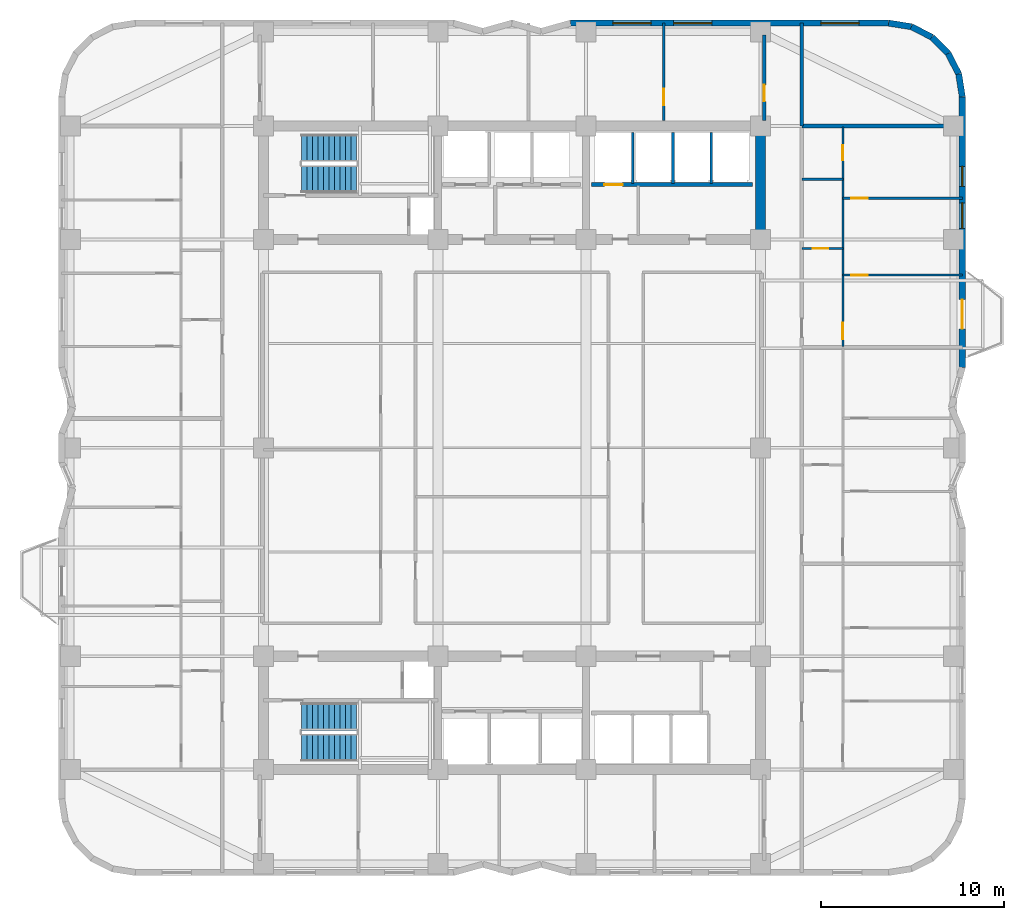
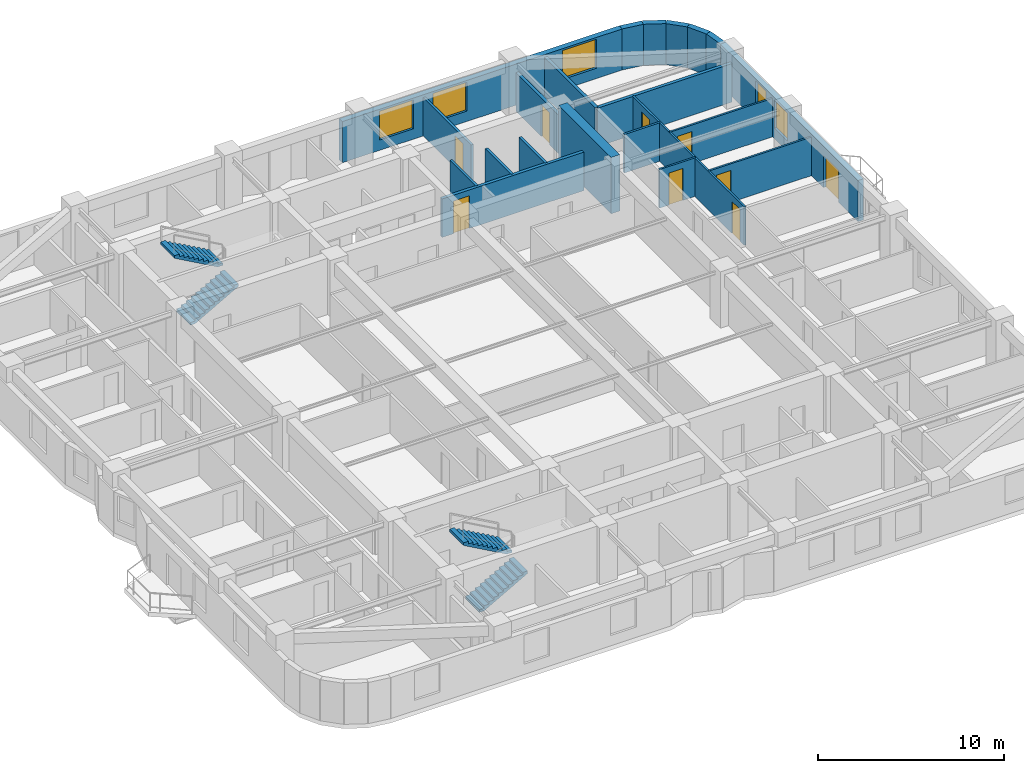
# One storey, part 7 of 9: 21 walls, 9 doors, 5 windows, 4 stair flights, 14 openings, 2 elements without a shape of their own.
"""IFC4 building model written with IfcOpenShell, lengths in metres."""

from ifc_helpers import new_model, si_unit, direction, frame, frame_2d, origin, place, context, subcontext, project, spatial, polyline, rectangle, outline, extrude, material, layer, layer_set, type_object, element, fill, aggregate, save


model = new_model("IFC4")

# Units and contexts
model_context = context("Model", 3, precision=1e-05, world=origin(), true_north=direction((0.0, 1.0)))
body_context = subcontext(model_context, "Body", "Model", "MODEL_VIEW")
ifc_project = project(units=[si_unit("LENGTHUNIT", "METRE"), si_unit("AREAUNIT", "SQUARE_METRE"), si_unit("VOLUMEUNIT", "CUBIC_METRE"), si_unit("PLANEANGLEUNIT", "RADIAN"), si_unit("MASSUNIT", "GRAM", prefix="KILO")], contexts=[model_context])

# Site, building, storey
site_placement = place(None, origin())
site = spatial("IfcSite", under=ifc_project, at=site_placement, CompositionType="ELEMENT")
building_placement = place(site_placement, origin())
building = spatial("IfcBuilding", under=site, at=building_placement, Name="Svetorya Sky Lyceum", CompositionType="ELEMENT")
storey_placement = place(building_placement, frame((0.0, 0.0, 88.300048828125)))
storey = spatial("IfcBuildingStorey", under=building, at=storey_placement, Name="L21", CompositionType="ELEMENT", Elevation=88.300048828125)

# Wall
ifc_material_1 = material(Name="Concrete C60/75", Category="concrete")
ifc_layer_1 = layer(ifc_material_1, 0.550048828125)
ifc_layer_set_1 = layer_set([ifc_layer_1], Name="Concrete C60/75")
wall_type_1 = type_object("IfcWallType", Name="WL-CORE-550", PredefinedType="SHEAR", material=ifc_layer_set_1)
wall_1_placement = place(storey_placement, frame((52.800048828125, 39.875, 0.0), z_axis=(0.0, 0.0, 1.0), x_axis=(0.0, 1.0, 0.0)))
element("IfcWall", 1, at=wall_1_placement, inside=storey, type_object=wall_type_1, Name="L21 NC East Core Shear Wall", PredefinedType="SHEAR", context=body_context, shape_type="SweptSolid", body=[
    extrude(rectangle(XDim=5.64990234375, YDim=0.550048828125, at=frame_2d((2.824951171875, 0.0))), origin(), (0.0, 0.0, 1.0), 3.699951171875),
])

# Wall, openings, door, windows
ifc_material_2 = material(Name="Putilovo limestone rainscreen on autoclaved cellular masonry", Category="masonry")
ifc_layer_2 = layer(ifc_material_2, 0.340087890625)
ifc_layer_set_2 = layer_set([ifc_layer_2], Name="Putilovo limestone rainscreen on autoclaved cellular masonry")
wall_type_2 = type_object("IfcWallType", Name="WL-EXT-340", PredefinedType="SOLIDWALL", material=ifc_layer_set_2)
wall_2_placement = place(storey_placement, frame((63.830078125, 32.60009765625, 0.0), z_axis=(0.0, 0.0, 1.0), x_axis=(0.0, 1.0, 0.0)))
wall_2 = element("IfcWall", 2, at=wall_2_placement, inside=storey, type_object=wall_type_2, Name="L21 Limestone Exterior Wall 23M", PredefinedType="SOLIDWALL", context=body_context, shape_type="SweptSolid", body=[
    extrude(rectangle(XDim=14.7998046875, YDim=0.340087890625, at=frame_2d((7.39990234375, 0.0))), origin(), (0.0, 0.0, 1.0), 2.699951171875),
])
opening_1_placement = place(wall_2_placement, frame((2.10009765625, 0.0, 0.0)))
opening_1 = element("IfcOpeningElement", 3, at=opening_1_placement, cuts=wall_2, Name="Opening D-BL1", PredefinedType="OPENING", context=body_context, shape_type="SweptSolid", body=[
    extrude(rectangle(XDim=1.60009765625, YDim=2.10009765625, at=frame_2d((0.800048828125, 1.050048828125))), frame((0.0, 0.179931640625, 0.0), z_axis=(0.0, -1.0, 0.0), x_axis=(1.0, 0.0, 0.0)), (0.0, 0.0, 1.0), 0.360107421875),
])
opening_2_placement = place(wall_2_placement, frame((7.60009765625, 0.0, 0.68994140625)))
opening_2 = element("IfcOpeningElement", 4, at=opening_2_placement, cuts=wall_2, Name="Opening W-R2", PredefinedType="OPENING", context=body_context, shape_type="SweptSolid", body=[
    extrude(rectangle(XDim=1.39990234375, YDim=1.85009765625, at=frame_2d((0.699951171875, 0.925048828125))), frame((0.0, 0.179931640625, 0.0), z_axis=(0.0, -1.0, 0.0), x_axis=(1.0, 0.0, 0.0)), (0.0, 0.0, 1.0), 0.360107421875),
])
opening_3_placement = place(wall_2_placement, frame((9.89990234375, 0.0, 0.929931640625)))
opening_3 = element("IfcOpeningElement", 5, at=opening_3_placement, cuts=wall_2, Name="Opening W-R3", PredefinedType="OPENING", context=body_context, shape_type="SweptSolid", body=[
    extrude(rectangle(XDim=1.10009765625, YDim=1.64990234375, at=frame_2d((0.550048828125, 0.824951171875))), frame((0.0, 0.179931640625, 0.0), z_axis=(0.0, -1.0, 0.0), x_axis=(1.0, 0.0, 0.0)), (0.0, 0.0, 1.0), 0.360107421875),
])
ifc_material_3 = material(Name="Insulated glazed aluminium balcony door", Category="aluminium")
door_type_1 = type_object("IfcDoorType", Name="DR-BAL-1600", OperationType="DOUBLE_DOOR_SINGLE_SWING", PredefinedType="DOOR", material=ifc_material_3)
door_1_placement = place(opening_1_placement, origin())
door_1 = element("IfcDoor", 6, at=door_1_placement, inside=storey, type_object=door_type_1, Name="L21 Balcony BAL-E1 Door", OperationType="DOUBLE_DOOR_SINGLE_SWING", OverallHeight=2.10009765625, OverallWidth=1.60009765625, PredefinedType="DOOR", context=body_context, shape_type="SweptSolid", body=[
    extrude(rectangle(XDim=1.60009765625, YDim=2.10009765625, at=frame_2d((0.800048828125, 1.050048828125))), frame((0.0, 0.02490234375, 0.0), z_axis=(0.0, -1.0, 0.0), x_axis=(1.0, 0.0, 0.0)), (0.0, 0.0, 1.0), 0.050048828125),
])
fill(opening_1, door_1)
ifc_material_4 = material(Name="Thermally broken aluminium frame with triple low-E glazing", Category="aluminium")
window_type_1 = type_object("IfcWindowType", Name="WN-RES-110", PartitioningType="SINGLE_PANEL", PredefinedType="WINDOW", material=ifc_material_4)
window_1_placement = place(opening_3_placement, origin())
window_1 = element("IfcWindow", 7, at=window_1_placement, inside=storey, type_object=window_type_1, Name="L21 Facade Window W-R3.23M.1", OverallHeight=1.64990234375, OverallWidth=1.10009765625, PartitioningType="SINGLE_PANEL", PredefinedType="WINDOW", context=body_context, shape_type="SweptSolid", body=[
    extrude(rectangle(XDim=1.10009765625, YDim=1.64990234375, at=frame_2d((0.550048828125, 0.824951171875))), frame((0.0, 0.030029296875, 0.0), z_axis=(0.0, -1.0, 0.0), x_axis=(1.0, 0.0, 0.0)), (0.0, 0.0, 1.0), 0.06005859375),
])
fill(opening_3, window_1)
window_type_2 = type_object("IfcWindowType", Name="WN-RES-140", PartitioningType="SINGLE_PANEL", PredefinedType="WINDOW", material=ifc_material_4)
window_2_placement = place(opening_2_placement, origin())
window_2 = element("IfcWindow", 8, at=window_2_placement, inside=storey, type_object=window_type_2, Name="L21 Facade Window W-R2.23M.2", OverallHeight=1.85009765625, OverallWidth=1.39990234375, PartitioningType="SINGLE_PANEL", PredefinedType="WINDOW", context=body_context, shape_type="SweptSolid", body=[
    extrude(rectangle(XDim=1.39990234375, YDim=1.85009765625, at=frame_2d((0.699951171875, 0.925048828125))), frame((0.0, 0.030029296875, 0.0), z_axis=(0.0, -1.0, 0.0), x_axis=(1.0, 0.0, 0.0)), (0.0, 0.0, 1.0), 0.06005859375),
])
fill(opening_2, window_2)

# Walls
for number, where, z_axis, x_axis, name in (
    (9, (63.830078125, 47.39990234375, 0.0), (0.0, 0.0, 1.0), (-0.15644975923, 0.987685918112, 0.0), "L21 Limestone Exterior Wall 24M"),
    (10, (63.6328125, 48.645263671875, 0.0), (0.0, 0.0, 1.0), (-0.454015689056, 0.890993689142, 0.0), "L21 Limestone Exterior Wall 25M"),
    (11, (63.060302734375, 49.768798828125, 0.0), (0.0, 0.0, 1.0), (-0.707106781187, 0.707106781187, 0.0), "L21 Limestone Exterior Wall 26M"),
):
    element("IfcWall", number, at=place(storey_placement, frame(where, z_axis=z_axis, x_axis=x_axis)), inside=storey, type_object=wall_type_2, Name=name, PredefinedType="SOLIDWALL", context=body_context, shape_type="SweptSolid", body=[
        extrude(rectangle(XDim=1.260986328125, YDim=0.340087890625, at=frame_2d((0.63037109375, 0.0))), origin(), (0.0, 0.0, 1.0), 2.699951171875),
    ])
for number, where, z_axis, x_axis, name in (
    (12, (62.168701171875, 50.660400390625, 0.0), (0.0, 0.0, 1.0), (-0.890953769915, 0.454094020963, 0.0), "L21 Limestone Exterior Wall 27M"),
    (13, (61.04541015625, 51.23291015625, 0.0), (0.0, 0.0, 1.0), (-0.98771582066, 0.156260864002, 0.0), "L21 Limestone Exterior Wall 28M"),
):
    element("IfcWall", number, at=place(storey_placement, frame(where, z_axis=z_axis, x_axis=x_axis)), inside=storey, type_object=wall_type_2, Name=name, PredefinedType="SOLIDWALL", context=body_context, shape_type="SweptSolid", body=[
        extrude(rectangle(XDim=1.2607421875, YDim=0.340087890625, at=frame_2d((0.63037109375, 0.0))), origin(), (0.0, 0.0, 1.0), 2.699951171875),
    ])

# Wall, openings, windows
wall_3_placement = place(storey_placement, frame((59.800048828125, 51.429931640625, 0.0), z_axis=(0.0, 0.0, 1.0), x_axis=(-1.0, 0.0, 0.0)))
wall_3 = element("IfcWall", 14, at=wall_3_placement, inside=storey, type_object=wall_type_2, Name="L21 Limestone Exterior Wall 29M", PredefinedType="SOLIDWALL", context=body_context, shape_type="SweptSolid", body=[
    extrude(rectangle(XDim=17.400146484375, YDim=0.340087890625, at=frame_2d((8.7001953125, 0.0))), origin(), (0.0, 0.0, 1.0), 2.699951171875),
])
opening_4_placement = place(wall_3_placement, frame((1.612548828125, 0.0, 0.679931640625)))
opening_4 = element("IfcOpeningElement", 15, at=opening_4_placement, cuts=wall_3, Name="Opening W-R0", PredefinedType="OPENING", context=body_context, shape_type="SweptSolid", body=[
    extrude(rectangle(XDim=2.10009765625, YDim=1.89990234375, at=frame_2d((1.050048828125, 0.949951171875))), frame((0.0, 0.179931640625, 0.0), z_axis=(0.0, -1.0, 0.0), x_axis=(1.0, 0.0, 0.0)), (0.0, 0.0, 1.0), 0.360107421875),
])
opening_5_placement = place(wall_3_placement, frame((9.66259765625, 0.0, 0.679931640625)))
opening_5 = element("IfcOpeningElement", 16, at=opening_5_placement, cuts=wall_3, Name="Opening W-R0", PredefinedType="OPENING", context=body_context, shape_type="SweptSolid", body=[
    extrude(rectangle(XDim=2.10009765625, YDim=1.89990234375, at=frame_2d((1.050048828125, 0.949951171875))), frame((0.0, 0.179931640625, 0.0), z_axis=(0.0, -1.0, 0.0), x_axis=(1.0, 0.0, 0.0)), (0.0, 0.0, 1.0), 0.360107421875),
])
opening_6_placement = place(wall_3_placement, frame((12.987548828125, 0.0, 0.679931640625)))
opening_6 = element("IfcOpeningElement", 17, at=opening_6_placement, cuts=wall_3, Name="Opening W-R0", PredefinedType="OPENING", context=body_context, shape_type="SweptSolid", body=[
    extrude(rectangle(XDim=2.10009765625, YDim=1.89990234375, at=frame_2d((1.050048828125, 0.949951171875))), frame((0.0, 0.179931640625, 0.0), z_axis=(0.0, -1.0, 0.0), x_axis=(1.0, 0.0, 0.0)), (0.0, 0.0, 1.0), 0.360107421875),
])
window_type_3 = type_object("IfcWindowType", Name="WN-RES-210", PartitioningType="TRIPLE_PANEL_VERTICAL", PredefinedType="WINDOW", material=ifc_material_4)
window_3_placement = place(opening_4_placement, origin())
window_3 = element("IfcWindow", 18, at=window_3_placement, inside=storey, type_object=window_type_3, Name="L21 Facade Window W-R0.29M.1", OverallHeight=1.89990234375, OverallWidth=2.10009765625, PartitioningType="SINGLE_PANEL", PredefinedType="WINDOW", context=body_context, shape_type="SweptSolid", body=[
    extrude(rectangle(XDim=2.10009765625, YDim=1.89990234375, at=frame_2d((1.050048828125, 0.949951171875))), frame((0.0, 0.030029296875, 0.0), z_axis=(0.0, -1.0, 0.0), x_axis=(1.0, 0.0, 0.0)), (0.0, 0.0, 1.0), 0.06005859375),
])
fill(opening_4, window_3)
window_4_placement = place(opening_5_placement, origin())
window_4 = element("IfcWindow", 19, at=window_4_placement, inside=storey, type_object=window_type_3, Name="L21 Facade Window W-R0.29M.2", OverallHeight=1.89990234375, OverallWidth=2.10009765625, PartitioningType="SINGLE_PANEL", PredefinedType="WINDOW", context=body_context, shape_type="SweptSolid", body=[
    extrude(rectangle(XDim=2.10009765625, YDim=1.89990234375, at=frame_2d((1.050048828125, 0.949951171875))), frame((0.0, 0.030029296875, 0.0), z_axis=(0.0, -1.0, 0.0), x_axis=(1.0, 0.0, 0.0)), (0.0, 0.0, 1.0), 0.06005859375),
])
fill(opening_5, window_4)
window_5_placement = place(opening_6_placement, origin())
window_5 = element("IfcWindow", 20, at=window_5_placement, inside=storey, type_object=window_type_3, Name="L21 Facade Window W-R0.29M.3", OverallHeight=1.89990234375, OverallWidth=2.10009765625, PartitioningType="SINGLE_PANEL", PredefinedType="WINDOW", context=body_context, shape_type="SweptSolid", body=[
    extrude(rectangle(XDim=2.10009765625, YDim=1.89990234375, at=frame_2d((1.050048828125, 0.949951171875))), frame((0.0, 0.030029296875, 0.0), z_axis=(0.0, -1.0, 0.0), x_axis=(1.0, 0.0, 0.0)), (0.0, 0.0, 1.0), 0.06005859375),
])
fill(opening_6, window_5)

# Wall, opening, door
ifc_material_5 = material(Name="Twin-stud galvanized framing with double fireboard", Category="gypsum")
ifc_layer_3 = layer(ifc_material_5, 0.1201171875)
ifc_layer_set_3 = layer_set([ifc_layer_3], Name="Twin-stud galvanized framing with double fireboard")
wall_type_3 = type_object("IfcWallType", Name="WL-PART-120", PredefinedType="PARTITIONING", material=ifc_layer_set_3)
wall_4_placement = place(storey_placement, frame((55.050048828125, 39.10009765625, 0.0), z_axis=(0.0, 0.0, 1.0), x_axis=(1.0, 0.0, 0.0)))
wall_4 = element("IfcWall", 21, at=wall_4_placement, inside=storey, type_object=wall_type_3, Name="L21 Interior Partition E3-WH1", PredefinedType="PARTITIONING", context=body_context, shape_type="SweptSolid", body=[
    extrude(rectangle(XDim=2.25, YDim=0.1201171875, at=frame_2d((1.125, 0.0))), origin(), (0.0, 0.0, 1.0), 2.530029296875),
])
opening_7_placement = place(wall_4_placement, frame((0.60009765625, 0.0, 0.0)))
opening_7 = element("IfcOpeningElement", 22, at=opening_7_placement, cuts=wall_4, Name="Opening D-BT1", PredefinedType="OPENING", context=body_context, shape_type="SweptSolid", body=[
    extrude(rectangle(XDim=0.85009765625, YDim=2.10009765625, at=frame_2d((0.425048828125, 1.050048828125))), frame((0.0, 0.070068359375, 0.0), z_axis=(0.0, -1.0, 0.0), x_axis=(1.0, 0.0, 0.0)), (0.0, 0.0, 1.0), 0.14013671875),
])
ifc_material_6 = material(Name="Moisture-resistant laminate bathroom door")
door_type_2 = type_object("IfcDoorType", Name="DR-WET-850", OperationType="SINGLE_SWING_LEFT", PredefinedType="DOOR", material=ifc_material_6)
door_2_placement = place(opening_7_placement, origin())
door_2 = element("IfcDoor", 23, at=door_2_placement, inside=storey, type_object=door_type_2, Name="Apartment E3 Bathroom Door", OperationType="SINGLE_SWING_RIGHT", OverallHeight=2.10009765625, OverallWidth=0.85009765625, PredefinedType="DOOR", context=body_context, shape_type="SweptSolid", body=[
    extrude(rectangle(XDim=0.85009765625, YDim=2.10009765625, at=frame_2d((0.425048828125, 1.050048828125))), frame((0.0, 0.02490234375, 0.0), z_axis=(0.0, -1.0, 0.0), x_axis=(1.0, 0.0, 0.0)), (0.0, 0.0, 1.0), 0.050048828125),
])
fill(opening_7, door_2)

wall_5_placement = place(storey_placement, frame((57.300048828125, 37.64990234375, 0.0), z_axis=(0.0, 0.0, 1.0), x_axis=(1.0, 0.0, 0.0)))
wall_5 = element("IfcWall", 24, at=wall_5_placement, inside=storey, type_object=wall_type_3, Name="L21 Interior Partition E3-WL1", PredefinedType="PARTITIONING", context=body_context, shape_type="SweptSolid", body=[
    extrude(rectangle(XDim=6.530029296875, YDim=0.1201171875, at=frame_2d((3.26513671875, 0.0))), origin(), (0.0, 0.0, 1.0), 2.530029296875),
])
opening_8_placement = place(wall_5_placement, frame((0.449951171875, 0.0, 0.0)))
opening_8 = element("IfcOpeningElement", 25, at=opening_8_placement, cuts=wall_5, Name="Opening D-RM1", PredefinedType="OPENING", context=body_context, shape_type="SweptSolid", body=[
    extrude(rectangle(XDim=0.89990234375, YDim=2.10009765625, at=frame_2d((0.449951171875, 1.050048828125))), frame((0.0, 0.070068359375, 0.0), z_axis=(0.0, -1.0, 0.0), x_axis=(1.0, 0.0, 0.0)), (0.0, 0.0, 1.0), 0.14013671875),
])
ifc_material_7 = material(Name="Lacquered birch veneer internal door")
door_type_3 = type_object("IfcDoorType", Name="DR-INT-900", OperationType="SINGLE_SWING_LEFT", PredefinedType="DOOR", material=ifc_material_7)
door_3_placement = place(opening_8_placement, origin())
door_3 = element("IfcDoor", 26, at=door_3_placement, inside=storey, type_object=door_type_3, Name="Apartment E3 Master Bedroom Door", OperationType="SINGLE_SWING_RIGHT", OverallHeight=2.10009765625, OverallWidth=0.89990234375, PredefinedType="DOOR", context=body_context, shape_type="SweptSolid", body=[
    extrude(rectangle(XDim=0.89990234375, YDim=2.10009765625, at=frame_2d((0.449951171875, 1.050048828125))), frame((0.0, 0.02490234375, 0.0), z_axis=(0.0, -1.0, 0.0), x_axis=(1.0, 0.0, 0.0)), (0.0, 0.0, 1.0), 0.050048828125),
])
fill(opening_8, door_3)

wall_6_placement = place(storey_placement, frame((57.300048828125, 41.85009765625, 0.0), z_axis=(0.0, 0.0, 1.0), x_axis=(1.0, 0.0, 0.0)))
wall_6 = element("IfcWall", 27, at=wall_6_placement, inside=storey, type_object=wall_type_3, Name="L21 Interior Partition E3-WL2", PredefinedType="PARTITIONING", context=body_context, shape_type="SweptSolid", body=[
    extrude(rectangle(XDim=6.530029296875, YDim=0.1201171875, at=frame_2d((3.26513671875, 0.0))), origin(), (0.0, 0.0, 1.0), 2.530029296875),
])
opening_9_placement = place(wall_6_placement, frame((0.449951171875, 0.0, 0.0)))
opening_9 = element("IfcOpeningElement", 28, at=opening_9_placement, cuts=wall_6, Name="Opening D-RM1", PredefinedType="OPENING", context=body_context, shape_type="SweptSolid", body=[
    extrude(rectangle(XDim=0.89990234375, YDim=2.10009765625, at=frame_2d((0.449951171875, 1.050048828125))), frame((0.0, 0.070068359375, 0.0), z_axis=(0.0, -1.0, 0.0), x_axis=(1.0, 0.0, 0.0)), (0.0, 0.0, 1.0), 0.14013671875),
])
door_4_placement = place(opening_9_placement, origin())
door_4 = element("IfcDoor", 29, at=door_4_placement, inside=storey, type_object=door_type_3, Name="Apartment E3 Bedroom 2 Door", OperationType="SINGLE_SWING_LEFT", OverallHeight=2.10009765625, OverallWidth=0.89990234375, PredefinedType="DOOR", context=body_context, shape_type="SweptSolid", body=[
    extrude(rectangle(XDim=0.89990234375, YDim=2.10009765625, at=frame_2d((0.449951171875, 1.050048828125))), frame((0.0, 0.02490234375, 0.0), z_axis=(0.0, -1.0, 0.0), x_axis=(1.0, 0.0, 0.0)), (0.0, 0.0, 1.0), 0.050048828125),
])
fill(opening_9, door_4)

# Wall, openings, doors
wall_7_placement = place(storey_placement, frame((57.300048828125, 33.739990234375, 0.0), z_axis=(0.0, 0.0, 1.0), x_axis=(0.0, 1.0, 0.0)))
wall_7 = element("IfcWall", 30, at=wall_7_placement, inside=storey, type_object=wall_type_3, Name="L21 Interior Partition E3-WV", PredefinedType="PARTITIONING", context=body_context, shape_type="SweptSolid", body=[
    extrude(rectangle(XDim=12.02001953125, YDim=0.1201171875, at=frame_2d((6.010009765625, 0.0))), origin(), (0.0, 0.0, 1.0), 2.530029296875),
])
opening_10_placement = place(wall_7_placement, frame((0.409912109375, 0.0, 0.0)))
opening_10 = element("IfcOpeningElement", 31, at=opening_10_placement, cuts=wall_7, Name="Opening D-RM1", PredefinedType="OPENING", context=body_context, shape_type="SweptSolid", body=[
    extrude(rectangle(XDim=0.89990234375, YDim=2.10009765625, at=frame_2d((0.449951171875, 1.050048828125))), frame((0.0, 0.070068359375, 0.0), z_axis=(0.0, -1.0, 0.0), x_axis=(1.0, 0.0, 0.0)), (0.0, 0.0, 1.0), 0.14013671875),
])
opening_11_placement = place(wall_7_placement, frame((10.18505859375, 0.0, 0.0)))
opening_11 = element("IfcOpeningElement", 32, at=opening_11_placement, cuts=wall_7, Name="Opening D-BT2", PredefinedType="OPENING", context=body_context, shape_type="SweptSolid", body=[
    extrude(rectangle(XDim=0.820068359375, YDim=2.080078125, at=frame_2d((0.41015625, 1.0400390625))), frame((0.0, 0.070068359375, 0.0), z_axis=(0.0, -1.0, 0.0), x_axis=(1.0, 0.0, 0.0)), (0.0, 0.0, 1.0), 0.14013671875),
])
door_5_placement = place(opening_10_placement, origin())
door_5 = element("IfcDoor", 33, at=door_5_placement, inside=storey, type_object=door_type_3, Name="Apartment E3 Living Door", OperationType="SINGLE_SWING_LEFT", OverallHeight=2.10009765625, OverallWidth=0.89990234375, PredefinedType="DOOR", context=body_context, shape_type="SweptSolid", body=[
    extrude(rectangle(XDim=0.89990234375, YDim=2.10009765625, at=frame_2d((0.449951171875, 1.050048828125))), frame((0.0, 0.02490234375, 0.0), z_axis=(0.0, -1.0, 0.0), x_axis=(1.0, 0.0, 0.0)), (0.0, 0.0, 1.0), 0.050048828125),
])
fill(opening_10, door_5)
ifc_material_8 = material(Name="Compact moisture-resistant laminate closet door")
door_type_4 = type_object("IfcDoorType", Name="DR-WET-820", OperationType="SINGLE_SWING_LEFT", PredefinedType="DOOR", material=ifc_material_8)
door_6_placement = place(opening_11_placement, origin())
door_6 = element("IfcDoor", 34, at=door_6_placement, inside=storey, type_object=door_type_4, Name="Apartment E3 Study Door", OperationType="SINGLE_SWING_RIGHT", OverallHeight=2.080078125, OverallWidth=0.820068359375, PredefinedType="DOOR", context=body_context, shape_type="SweptSolid", body=[
    extrude(rectangle(XDim=0.820068359375, YDim=2.080078125, at=frame_2d((0.41015625, 1.0400390625))), frame((0.0, 0.02490234375, 0.0), z_axis=(0.0, -1.0, 0.0), x_axis=(1.0, 0.0, 0.0)), (0.0, 0.0, 1.0), 0.050048828125),
])
fill(opening_11, door_6)

# Walls
ifc_material_9 = material(Name="Twin-stud galvanized framing with acoustic board", Category="gypsum")
ifc_layer_4 = layer(ifc_material_9, 0.135009765625)
ifc_layer_set_4 = layer_set([ifc_layer_4], Name="Twin-stud galvanized framing with acoustic board")
wall_type_4 = type_object("IfcWallType", Name="WL-PART-135", PredefinedType="PARTITIONING", material=ifc_layer_set_4)
wall_8_placement = place(storey_placement, frame((55.050048828125, 42.89990234375, 0.0), z_axis=(0.0, 0.0, 1.0), x_axis=(1.0, 0.0, 0.0)))
element("IfcWall", 35, at=wall_8_placement, inside=storey, type_object=wall_type_4, Name="L21 Interior Partition E3-WH2", PredefinedType="PARTITIONING", context=body_context, shape_type="SweptSolid", body=[
    extrude(rectangle(XDim=2.25, YDim=0.135009765625, at=frame_2d((1.125, 0.0))), origin(), (0.0, 0.0, 1.0), 2.530029296875),
])
ifc_material_10 = material(Name="Autoclaved cellular masonry blockwork with acoustic render", Category="masonry")
ifc_layer_5 = layer(ifc_material_10, 0.14990234375)
ifc_layer_set_5 = layer_set([ifc_layer_5], Name="Autoclaved cellular masonry blockwork with acoustic render")
wall_type_5 = type_object("IfcWallType", Name="WL-PART-150", PredefinedType="PARTITIONING", material=ifc_layer_set_5)
for number, where, z_axis, x_axis, name in (
    (36, (45.800048828125, 42.64990234375, 0.0), (0.0, 0.0, 1.0), (0.0, 1.0, 0.0), "L21 Interior Partition NC-PM3-D"),
    (37, (48.0, 42.64990234375, 0.0), (0.0, 0.0, 1.0), (0.0, 1.0, 0.0), "L21 Interior Partition NC-PH-D1"),
    (38, (50.10009765625, 42.64990234375, 0.0), (0.0, 0.0, 1.0), (0.0, 1.0, 0.0), "L21 Interior Partition NC-PH-D2"),
):
    element("IfcWall", number, at=place(storey_placement, frame(where, z_axis=z_axis, x_axis=x_axis)), inside=storey, type_object=wall_type_5, Name=name, PredefinedType="PARTITIONING", context=body_context, shape_type="SweptSolid", body=[
        extrude(rectangle(XDim=2.800048828125, YDim=0.14990234375, at=frame_2d((1.39990234375, 0.0))), origin(), (0.0, 0.0, 1.0), 2.530029296875),
    ])

# Wall, opening, door
wall_9_placement = place(storey_placement, frame((47.5, 46.10009765625, 0.0), z_axis=(0.0, 0.0, 1.0), x_axis=(0.0, 1.0, 0.0)))
wall_9 = element("IfcWall", 39, at=wall_9_placement, inside=storey, type_object=wall_type_5, Name="L21 Interior Partition N4-D3", PredefinedType="PARTITIONING", context=body_context, shape_type="SweptSolid", body=[
    extrude(rectangle(XDim=5.329833984375, YDim=0.14990234375, at=frame_2d((2.6650390625, 0.0))), origin(), (0.0, 0.0, 1.0), 2.530029296875),
])
opening_12_placement = place(wall_9_placement, frame((0.85009765625, 0.0, 0.0)))
opening_12 = element("IfcOpeningElement", 40, at=opening_12_placement, cuts=wall_9, Name="Opening D-RM1", PredefinedType="OPENING", context=body_context, shape_type="SweptSolid", body=[
    extrude(rectangle(XDim=0.89990234375, YDim=2.10009765625, at=frame_2d((0.449951171875, 1.050048828125))), frame((0.0, 0.0849609375, 0.0), z_axis=(0.0, -1.0, 0.0), x_axis=(1.0, 0.0, 0.0)), (0.0, 0.0, 1.0), 0.169921875),
])
door_7_placement = place(opening_12_placement, origin())
door_7 = element("IfcDoor", 41, at=door_7_placement, inside=storey, type_object=door_type_3, Name="L21 North Suite Door 3", OperationType="SINGLE_SWING_RIGHT", OverallHeight=2.10009765625, OverallWidth=0.89990234375, PredefinedType="DOOR", context=body_context, shape_type="SweptSolid", body=[
    extrude(rectangle(XDim=0.89990234375, YDim=2.10009765625, at=frame_2d((0.449951171875, 1.050048828125))), frame((0.0, 0.02490234375, 0.0), z_axis=(0.0, -1.0, 0.0), x_axis=(1.0, 0.0, 0.0)), (0.0, 0.0, 1.0), 0.050048828125),
])
fill(opening_12, door_7)

ifc_material_11 = material(Name="Autoclaved cellular masonry blockwork with gypsum plaster", Category="masonry")
ifc_layer_6 = layer(ifc_material_11, 0.199951171875)
ifc_layer_set_6 = layer_set([ifc_layer_6], Name="Autoclaved cellular masonry blockwork with gypsum plaster")
wall_type_6 = type_object("IfcWallType", Name="WL-PART-200", PredefinedType="PARTITIONING", material=ifc_layer_set_6)
wall_10_placement = place(storey_placement, frame((52.35009765625, 42.60009765625, 0.0), z_axis=(0.0, 0.0, 1.0), x_axis=(-1.0, 0.0, 0.0)))
wall_10 = element("IfcWall", 42, at=wall_10_placement, inside=storey, type_object=wall_type_6, Name="L21 Interior Partition NC-PHEW", PredefinedType="PARTITIONING", context=body_context, shape_type="SweptSolid", body=[
    extrude(rectangle(XDim=8.800048828125, YDim=0.199951171875, at=frame_2d((4.39990234375, 0.0))), origin(), (0.0, 0.0, 1.0), 2.530029296875),
])
opening_13_placement = place(wall_10_placement, frame((7.10009765625, 0.0, 0.0)))
opening_13 = element("IfcOpeningElement", 43, at=opening_13_placement, cuts=wall_10, Name="Opening LD-P1", PredefinedType="OPENING", context=body_context, shape_type="SweptSolid", body=[
    extrude(rectangle(XDim=1.0, YDim=2.14990234375, at=frame_2d((0.5, 1.074951171875))), frame((0.0, 0.10986328125, 0.0), z_axis=(0.0, -1.0, 0.0), x_axis=(1.0, 0.0, 0.0)), (0.0, 0.0, 1.0), 0.219970703125),
])
ifc_material_12 = material(Name="Champagne-anodized stainless passenger lift landing door")
door_type_5 = type_object("IfcDoorType", Name="DR-LIFT-1000", OperationType="SLIDING_TO_LEFT", PredefinedType="DOOR", material=ifc_material_12)
door_8_placement = place(opening_13_placement, origin())
door_8 = element("IfcDoor", 44, at=door_8_placement, inside=storey, type_object=door_type_5, Name="L21 Passenger Lift PM3 Landing Door", OperationType="SLIDING_TO_LEFT", OverallHeight=2.14990234375, OverallWidth=1.0, PredefinedType="DOOR", context=body_context, shape_type="SweptSolid", body=[
    extrude(rectangle(XDim=1.0, YDim=2.14990234375, at=frame_2d((0.5, 1.074951171875))), frame((0.0, 0.02490234375, 0.0), z_axis=(0.0, -1.0, 0.0), x_axis=(1.0, 0.0, 0.0)), (0.0, 0.0, 1.0), 0.050048828125),
])
fill(opening_13, door_8)

# Walls
wall_11_placement = place(storey_placement, frame((55.050048828125, 45.800048828125, 0.0), z_axis=(0.0, 0.0, 1.0), x_axis=(1.0, 0.0, 0.0)))
element("IfcWall", 45, at=wall_11_placement, inside=storey, type_object=wall_type_6, Name="L21 Interior Partition E-CAP-N", PredefinedType="PARTITIONING", context=body_context, shape_type="SweptSolid", body=[
    extrude(rectangle(XDim=8.35986328125, YDim=0.199951171875, at=frame_2d((4.179931640625, 0.0))), origin(), (0.0, 0.0, 1.0), 2.530029296875),
])
wall_12_placement = place(storey_placement, frame((55.050048828125, 45.800048828125, 0.0), z_axis=(0.0, 0.0, 1.0), x_axis=(0.0, 1.0, 0.0)))
element("IfcWall", 46, at=wall_12_placement, inside=storey, type_object=wall_type_6, Name="L21 Interior Partition EC-NE-END", PredefinedType="PARTITIONING", context=body_context, shape_type="SweptSolid", body=[
    extrude(rectangle(XDim=5.6298828125, YDim=0.199951171875, at=frame_2d((2.81494140625, 0.0))), origin(), (0.0, 0.0, 1.0), 2.530029296875),
])

# Wall, opening, door
wall_13_placement = place(storey_placement, frame((53.0, 46.10009765625, 0.0), z_axis=(0.0, 0.0, 1.0), x_axis=(0.0, 1.0, 0.0)))
wall_13 = element("IfcWall", 47, at=wall_13_placement, inside=storey, type_object=wall_type_6, Name="L21 Interior Partition N4-EE", PredefinedType="PARTITIONING", context=body_context, shape_type="SweptSolid", body=[
    extrude(rectangle(XDim=4.679931640625, YDim=0.199951171875, at=frame_2d((2.33984375, 0.0))), origin(), (0.0, 0.0, 1.0), 2.530029296875),
])
opening_14_placement = place(wall_13_placement, frame((1.050048828125, 0.0, 0.0)))
opening_14 = element("IfcOpeningElement", 48, at=opening_14_placement, cuts=wall_13, Name="Opening D-RM1", PredefinedType="OPENING", context=body_context, shape_type="SweptSolid", body=[
    extrude(rectangle(XDim=0.89990234375, YDim=2.10009765625, at=frame_2d((0.449951171875, 1.050048828125))), frame((0.0, 0.10986328125, 0.0), z_axis=(0.0, -1.0, 0.0), x_axis=(1.0, 0.0, 0.0)), (0.0, 0.0, 1.0), 0.219970703125),
])
door_9_placement = place(opening_14_placement, origin())
door_9 = element("IfcDoor", 49, at=door_9_placement, inside=storey, type_object=door_type_3, Name="L21 NE Office Door", OperationType="SINGLE_SWING_LEFT", OverallHeight=2.10009765625, OverallWidth=0.89990234375, PredefinedType="DOOR", context=body_context, shape_type="SweptSolid", body=[
    extrude(rectangle(XDim=0.89990234375, YDim=2.10009765625, at=frame_2d((0.449951171875, 1.050048828125))), frame((0.0, 0.02490234375, 0.0), z_axis=(0.0, -1.0, 0.0), x_axis=(1.0, 0.0, 0.0)), (0.0, 0.0, 1.0), 0.050048828125),
])
fill(opening_14, door_9)

# Stair, stair flights
ifc_material_13 = material(Name="Concrete C40/50", Category="concrete")
stair_type_1 = type_object("IfcStairType", Name="STR-ST-N", PredefinedType="HALF_TURN_STAIR", material=ifc_material_13)
stair_1_placement = place(storey_placement, origin())
stair_1 = element("IfcStair", 50, at=stair_1_placement, inside=storey, type_object=stair_type_1, Name="L21 North Core Smoke-Free Exit Stair N3", PredefinedType="HALF_TURN_STAIR")
stair_flight_type_1 = type_object("IfcStairFlightType", Name="SFL-ST-N", PredefinedType="STRAIGHT", material=ifc_material_13)
stair_flight_1_placement = place(storey_placement, frame((27.699951171875, 42.89990234375, 0.0), z_axis=(0.0, 0.0, 1.0), x_axis=(1.0, 0.0, 0.0)))
stair_flight_1 = element("IfcStairFlight", 51, at=stair_flight_1_placement, type_object=stair_flight_type_1, Name="ST-N flight 1", NumberOfRisers=11, NumberOfTreads=10, PredefinedType="STRAIGHT", RiserHeight=0.168181818, TreadLength=0.3, context=body_context, shape_type="SweptSolid", body=[
    extrude(outline(polyline([(0.0, 0.0), (0.0, 0.168212890625), (0.300048828125, 0.168212890625), (0.300048828125, 0.33642578125), (0.60009765625, 0.33642578125), (0.60009765625, 0.504638671875), (0.89990234375, 0.504638671875), (0.89990234375, 0.672607421875), (1.199951171875, 0.672607421875), (1.199951171875, 0.8408203125), (1.5, 0.8408203125), (1.5, 1.009033203125), (1.800048828125, 1.009033203125), (1.800048828125, 1.17724609375), (2.10009765625, 1.17724609375), (2.10009765625, 1.345458984375), (2.39990234375, 1.345458984375), (2.39990234375, 1.513671875), (2.699951171875, 1.513671875), (2.699951171875, 1.681884765625), (3.0, 1.681884765625), (3.0, 1.85009765625), (3.0, 1.510009765625), (0.306640625, 0.0), (0.0, 0.0)])), frame((0.0, 0.75, 0.0), z_axis=(0.0, -1.0, 0.0), x_axis=(1.0, 0.0, 0.0)), (0.0, 0.0, 1.0), 1.5),
])
stair_flight_2_placement = place(storey_placement, frame((30.699951171875, 44.60009765625, 1.849853515625), z_axis=(0.0, 0.0, 1.0), x_axis=(-1.0, 0.0, 0.0)))
stair_flight_2 = element("IfcStairFlight", 52, at=stair_flight_2_placement, type_object=stair_flight_type_1, Name="ST-N flight 2", NumberOfRisers=11, NumberOfTreads=10, PredefinedType="STRAIGHT", RiserHeight=0.168181818, TreadLength=0.3, context=body_context, shape_type="SweptSolid", body=[
    extrude(outline(polyline([(0.0, 0.0), (0.0, 0.168212890625), (0.300048828125, 0.168212890625), (0.300048828125, 0.33642578125), (0.60009765625, 0.33642578125), (0.60009765625, 0.504638671875), (0.89990234375, 0.504638671875), (0.89990234375, 0.672607421875), (1.199951171875, 0.672607421875), (1.199951171875, 0.8408203125), (1.5, 0.8408203125), (1.5, 1.009033203125), (1.800048828125, 1.009033203125), (1.800048828125, 1.17724609375), (2.10009765625, 1.17724609375), (2.10009765625, 1.345458984375), (2.39990234375, 1.345458984375), (2.39990234375, 1.513671875), (2.699951171875, 1.513671875), (2.699951171875, 1.681884765625), (3.0, 1.681884765625), (3.0, 1.85009765625), (3.0, 1.510009765625), (0.306640625, 0.0), (0.0, 0.0)])), frame((0.0, 0.75, 0.0), z_axis=(0.0, -1.0, 0.0), x_axis=(1.0, 0.0, 0.0)), (0.0, 0.0, 1.0), 1.5),
])
aggregate(stair_1, [stair_flight_1, stair_flight_2])

stair_type_2 = type_object("IfcStairType", Name="STR-ST-S", PredefinedType="HALF_TURN_STAIR", material=ifc_material_13)
stair_2_placement = place(storey_placement, origin())
stair_2 = element("IfcStair", 53, at=stair_2_placement, inside=storey, type_object=stair_type_2, Name="L21 South Core Smoke-Free Exit Stair N2", PredefinedType="HALF_TURN_STAIR")
stair_flight_type_2 = type_object("IfcStairFlightType", Name="SFL-ST-S", PredefinedType="STRAIGHT", material=ifc_material_13)
stair_flight_3_placement = place(storey_placement, frame((27.699951171875, 11.800048828125, 0.0), z_axis=(0.0, 0.0, 1.0), x_axis=(1.0, 0.0, 0.0)))
stair_flight_3 = element("IfcStairFlight", 54, at=stair_flight_3_placement, type_object=stair_flight_type_2, Name="ST-S flight 1", NumberOfRisers=11, NumberOfTreads=10, PredefinedType="STRAIGHT", RiserHeight=0.168181818, TreadLength=0.3, context=body_context, shape_type="SweptSolid", body=[
    extrude(outline(polyline([(0.0, 0.0), (0.0, 0.168212890625), (0.300048828125, 0.168212890625), (0.300048828125, 0.33642578125), (0.60009765625, 0.33642578125), (0.60009765625, 0.504638671875), (0.89990234375, 0.504638671875), (0.89990234375, 0.672607421875), (1.199951171875, 0.672607421875), (1.199951171875, 0.8408203125), (1.5, 0.8408203125), (1.5, 1.009033203125), (1.800048828125, 1.009033203125), (1.800048828125, 1.17724609375), (2.10009765625, 1.17724609375), (2.10009765625, 1.345458984375), (2.39990234375, 1.345458984375), (2.39990234375, 1.513671875), (2.699951171875, 1.513671875), (2.699951171875, 1.681884765625), (3.0, 1.681884765625), (3.0, 1.85009765625), (3.0, 1.510009765625), (0.306640625, 0.0), (0.0, 0.0)])), frame((0.0, 0.75, 0.0), z_axis=(0.0, -1.0, 0.0), x_axis=(1.0, 0.0, 0.0)), (0.0, 0.0, 1.0), 1.5),
])
stair_flight_4_placement = place(storey_placement, frame((30.699951171875, 13.5, 1.849853515625), z_axis=(0.0, 0.0, 1.0), x_axis=(-1.0, 0.0, 0.0)))
stair_flight_4 = element("IfcStairFlight", 55, at=stair_flight_4_placement, type_object=stair_flight_type_2, Name="ST-S flight 2", NumberOfRisers=11, NumberOfTreads=10, PredefinedType="STRAIGHT", RiserHeight=0.168181818, TreadLength=0.3, context=body_context, shape_type="SweptSolid", body=[
    extrude(outline(polyline([(0.0, 0.0), (0.0, 0.168212890625), (0.300048828125, 0.168212890625), (0.300048828125, 0.33642578125), (0.60009765625, 0.33642578125), (0.60009765625, 0.504638671875), (0.89990234375, 0.504638671875), (0.89990234375, 0.672607421875), (1.199951171875, 0.672607421875), (1.199951171875, 0.8408203125), (1.5, 0.8408203125), (1.5, 1.009033203125), (1.800048828125, 1.009033203125), (1.800048828125, 1.17724609375), (2.10009765625, 1.17724609375), (2.10009765625, 1.345458984375), (2.39990234375, 1.345458984375), (2.39990234375, 1.513671875), (2.699951171875, 1.513671875), (2.699951171875, 1.681884765625), (3.0, 1.681884765625), (3.0, 1.85009765625), (3.0, 1.510009765625), (0.306640625, 0.0), (0.0, 0.0)])), frame((0.0, 0.75, 0.0), z_axis=(0.0, -1.0, 0.0), x_axis=(1.0, 0.0, 0.0)), (0.0, 0.0, 1.0), 1.5),
])
aggregate(stair_2, [stair_flight_3, stair_flight_4])

save(model, "model.ifc")
